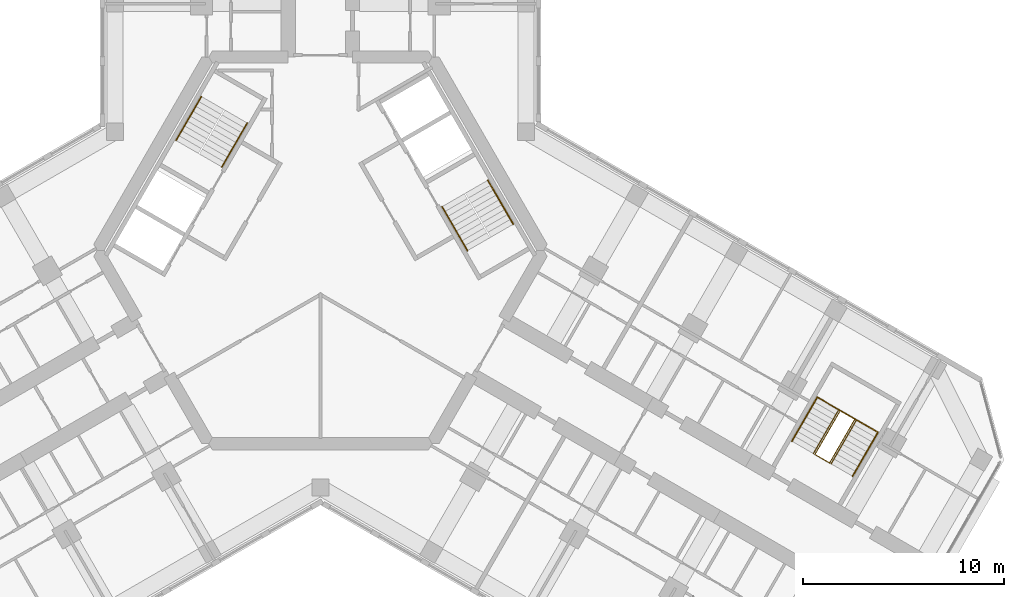
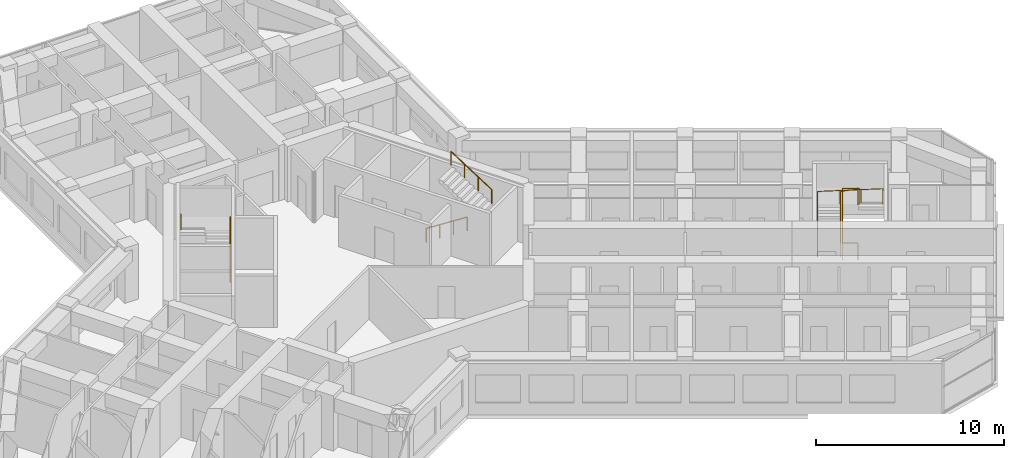
# One storey, part 16 of 16: 7 railings.
"""IFC4 building model written with IfcOpenShell, lengths in metres."""

from ifc_helpers import new_model, si_unit, direction, frame, origin, origin_2d, place, context, subcontext, project, spatial, circle, extrude, material, type_object, element, save


model = new_model("IFC4")

# Units and contexts
model_context = context("Model", 3, precision=1e-05, world=origin(), true_north=direction((0.0, 1.0)))
body_context = subcontext(model_context, "Body", "Model", "MODEL_VIEW")
ifc_project = project(units=[si_unit("LENGTHUNIT", "METRE"), si_unit("AREAUNIT", "SQUARE_METRE"), si_unit("VOLUMEUNIT", "CUBIC_METRE"), si_unit("PLANEANGLEUNIT", "RADIAN"), si_unit("MASSUNIT", "GRAM", prefix="KILO")], contexts=[model_context])

# Site, building, storey
site_placement = place(None, origin())
site = spatial("IfcSite", under=ifc_project, at=site_placement, CompositionType="ELEMENT")
building_placement = place(site_placement, origin())
building = spatial("IfcBuilding", under=site, at=building_placement, Name="Kosmar Iwan School Tower", CompositionType="ELEMENT")
storey_placement = place(building_placement, frame((0.0, 0.0, 242.39990234375)))
storey = spatial("IfcBuildingStorey", under=building, at=storey_placement, Name="L61", CompositionType="ELEMENT", Elevation=242.39990234375)

# Railings
ifc_material_1 = material(Name="Black steel", Category="steel")
railing_type_1 = type_object("IfcRailingType", Name="Stair handrail 900", PredefinedType="HANDRAIL", material=ifc_material_1)
railing_1_placement = place(storey_placement, frame((-4.89453125, 4.142333984375, 0.18017578125)))
element("IfcRailing", 1, at=railing_1_placement, inside=storey, type_object=railing_type_1, Name="Handrail ST2 flight 1", PredefinedType="HANDRAIL", context=body_context, shape_type="SweptSolid", body=[
    extrude(circle(Radius=0.02392578125, at=origin_2d()), frame((0.0, 0.0, 0.8759765625), z_axis=(0.42060268101, 0.72849590497, 0.54072830624), x_axis=(-0.866022637375, 0.500004791531, 0.0)), (0.0, 0.0, 1.0), 2.99560546875),
    extrude(circle(Radius=0.02099609375, at=origin_2d()), origin(), (0.0, 0.0, 1.0), 0.851806640625),
    extrude(circle(Radius=0.02099609375, at=origin_2d()), frame((0.419921875, 0.7275390625, 0.5400390625)), (0.0, 0.0, 1.0), 0.851806640625),
    extrude(circle(Radius=0.02099609375, at=origin_2d()), frame((0.840087890625, 1.454833984375, 1.079833984375)), (0.0, 0.0, 1.0), 0.851806640625),
    extrude(circle(Radius=0.02099609375, at=origin_2d()), frame((1.260009765625, 2.182373046875, 1.619873046875)), (0.0, 0.0, 1.0), 0.851806640625),
])
railing_2_placement = place(storey_placement, frame((-5.912353515625, 7.6396484375, 1.97998046875)))
element("IfcRailing", 2, at=railing_2_placement, inside=storey, type_object=railing_type_1, Name="Handrail ST2 flight 2", PredefinedType="HANDRAIL", context=body_context, shape_type="SweptSolid", body=[
    extrude(circle(Radius=0.02392578125, at=origin_2d()), frame((0.0, 0.0, 0.8759765625), z_axis=(-0.420584145978, -0.728463801763, 0.540785970299), x_axis=(0.866022637375, -0.500004791531, 0.0)), (0.0, 0.0, 1.0), 2.995849609375),
    extrude(circle(Radius=0.02099609375, at=origin_2d()), origin(), (0.0, 0.0, 1.0), 0.851806640625),
    extrude(circle(Radius=0.02099609375, at=origin_2d()), frame((-0.419921875, -0.7275390625, 0.5400390625)), (0.0, 0.0, 1.0), 0.851806640625),
    extrude(circle(Radius=0.02099609375, at=origin_2d()), frame((-0.840087890625, -1.454833984375, 1.080078125)), (0.0, 0.0, 1.0), 0.851806640625),
    extrude(circle(Radius=0.02099609375, at=origin_2d()), frame((-1.260009765625, -2.182373046875, 1.6201171875)), (0.0, 0.0, 1.0), 0.851806640625),
])
railing_3_placement = place(storey_placement, frame((6.03466796875, 2.167724609375, 0.18017578125)))
element("IfcRailing", 3, at=railing_3_placement, inside=storey, type_object=railing_type_1, Name="Handrail ST1 flight 1", PredefinedType="HANDRAIL", context=body_context, shape_type="SweptSolid", body=[
    extrude(circle(Radius=0.02392578125, at=origin_2d()), frame((0.0, 0.0, 0.8759765625), z_axis=(0.42060268101, -0.72849590497, 0.54072830624), x_axis=(0.866022637375, 0.500004791531, 0.0)), (0.0, 0.0, 1.0), 2.99560546875),
    extrude(circle(Radius=0.02099609375, at=origin_2d()), origin(), (0.0, 0.0, 1.0), 0.851806640625),
    extrude(circle(Radius=0.02099609375, at=origin_2d()), frame((0.419921875, -0.7275390625, 0.5400390625)), (0.0, 0.0, 1.0), 0.851806640625),
    extrude(circle(Radius=0.02099609375, at=origin_2d()), frame((0.840087890625, -1.454833984375, 1.079833984375)), (0.0, 0.0, 1.0), 0.851806640625),
    extrude(circle(Radius=0.02099609375, at=origin_2d()), frame((1.260009765625, -2.182373046875, 1.619873046875)), (0.0, 0.0, 1.0), 0.851806640625),
])
railing_4_placement = place(storey_placement, frame((9.572265625, 1.30029296875, 1.97998046875)))
element("IfcRailing", 4, at=railing_4_placement, inside=storey, type_object=railing_type_1, Name="Handrail ST1 flight 2", PredefinedType="HANDRAIL", context=body_context, shape_type="SweptSolid", body=[
    extrude(circle(Radius=0.02392578125, at=origin_2d()), frame((0.0, 0.0, 0.8759765625), z_axis=(-0.420584145978, 0.728463801763, 0.540785970299), x_axis=(-0.866022637375, -0.500004791531, 0.0)), (0.0, 0.0, 1.0), 2.995849609375),
    extrude(circle(Radius=0.02099609375, at=origin_2d()), origin(), (0.0, 0.0, 1.0), 0.851806640625),
    extrude(circle(Radius=0.02099609375, at=origin_2d()), frame((-0.419921875, 0.7275390625, 0.5400390625)), (0.0, 0.0, 1.0), 0.851806640625),
    extrude(circle(Radius=0.02099609375, at=origin_2d()), frame((-0.840087890625, 1.454833984375, 1.080078125)), (0.0, 0.0, 1.0), 0.851806640625),
    extrude(circle(Radius=0.02099609375, at=origin_2d()), frame((-1.260009765625, 2.182373046875, 1.6201171875)), (0.0, 0.0, 1.0), 0.851806640625),
])
railing_5_placement = place(storey_placement, frame((23.4091796875, -9.473876953125, 0.18017578125)))
element("IfcRailing", 5, at=railing_5_placement, inside=storey, type_object=railing_type_1, Name="Handrail stair WS3 L61 wall side", PredefinedType="HANDRAIL", context=body_context, shape_type="SweptSolid", body=[
    extrude(circle(Radius=0.02392578125, at=origin_2d()), frame((0.0, 0.0, 0.8759765625), z_axis=(0.42060268101, 0.72849590497, 0.54072830624), x_axis=(-0.866022637375, 0.500004791531, 0.0)), (0.0, 0.0, 1.0), 2.99560546875),
    extrude(circle(Radius=0.02392578125, at=origin_2d()), frame((1.260009765625, 2.182373046875, 2.49560546875), z_axis=(0.864882007433, -0.499312601618, 0.051633701051), x_axis=(0.499979528911, 0.866037222451, 0.0)), (0.0, 0.0, 1.0), 3.48486328125),
    extrude(circle(Radius=0.02392578125, at=origin_2d()), frame((4.27392578125, 0.4423828125, 2.67578125), z_axis=(-0.420584145978, -0.728463801763, 0.540785970299), x_axis=(0.866022637375, -0.500004791531, 0.0)), (0.0, 0.0, 1.0), 2.995849609375),
    extrude(circle(Radius=0.02099609375, at=origin_2d()), origin(), (0.0, 0.0, 1.0), 0.851806640625),
    extrude(circle(Radius=0.02099609375, at=origin_2d()), frame((0.419921875, 0.7275390625, 0.5400390625)), (0.0, 0.0, 1.0), 0.851806640625),
    extrude(circle(Radius=0.02099609375, at=origin_2d()), frame((0.840087890625, 1.454833984375, 1.079833984375)), (0.0, 0.0, 1.0), 0.851806640625),
    extrude(circle(Radius=0.02099609375, at=origin_2d()), frame((1.260009765625, 2.182373046875, 1.619873046875)), (0.0, 0.0, 1.0), 0.851806640625),
    extrude(circle(Radius=0.02099609375, at=origin_2d()), frame((2.2646484375, 1.602294921875, 1.679931640625)), (0.0, 0.0, 1.0), 0.851806640625),
    extrude(circle(Radius=0.02099609375, at=origin_2d()), frame((3.269287109375, 1.0224609375, 1.73974609375)), (0.0, 0.0, 1.0), 0.851806640625),
    extrude(circle(Radius=0.02099609375, at=origin_2d()), frame((4.27392578125, 0.4423828125, 1.7998046875)), (0.0, 0.0, 1.0), 0.851806640625),
    extrude(circle(Radius=0.02099609375, at=origin_2d()), frame((3.85400390625, -0.28515625, 2.33984375)), (0.0, 0.0, 1.0), 0.851806640625),
    extrude(circle(Radius=0.02099609375, at=origin_2d()), frame((3.433837890625, -1.012451171875, 2.8798828125)), (0.0, 0.0, 1.0), 0.851806640625),
    extrude(circle(Radius=0.02099609375, at=origin_2d()), frame((3.013916015625, -1.739990234375, 3.419921875)), (0.0, 0.0, 1.0), 0.851806640625),
])
railing_6_placement = place(storey_placement, frame((24.474609375, -10.0888671875, 0.18017578125)))
element("IfcRailing", 6, at=railing_6_placement, inside=storey, type_object=railing_type_1, Name="Handrail stair WS3 L61 well side", PredefinedType="HANDRAIL", context=body_context, shape_type="SweptSolid", body=[
    extrude(circle(Radius=0.02392578125, at=origin_2d()), frame((0.0, 0.0, 0.8759765625), z_axis=(0.42060268101, 0.72849590497, 0.54072830624), x_axis=(-0.866022637375, 0.500004791531, 0.0)), (0.0, 0.0, 1.0), 2.99560546875),
    extrude(circle(Radius=0.02392578125, at=origin_2d()), frame((1.260009765625, 2.182373046875, 2.49560546875), z_axis=(0.852841519511, -0.492422867401, 0.173726976197), x_axis=(0.500026340207, 0.866010195725, 0.0)), (0.0, 0.0, 1.0), 1.03564453125),
    extrude(circle(Radius=0.02392578125, at=origin_2d()), frame((2.143310546875, 1.67236328125, 2.67578125), z_axis=(-0.420584145978, -0.728463801763, 0.540785970299), x_axis=(0.866022637375, -0.500004791531, 0.0)), (0.0, 0.0, 1.0), 2.995849609375),
    extrude(circle(Radius=0.02099609375, at=origin_2d()), origin(), (0.0, 0.0, 1.0), 0.851806640625),
    extrude(circle(Radius=0.02099609375, at=origin_2d()), frame((0.419921875, 0.7275390625, 0.5400390625)), (0.0, 0.0, 1.0), 0.851806640625),
    extrude(circle(Radius=0.02099609375, at=origin_2d()), frame((0.840087890625, 1.454833984375, 1.079833984375)), (0.0, 0.0, 1.0), 0.851806640625),
    extrude(circle(Radius=0.02099609375, at=origin_2d()), frame((1.260009765625, 2.182373046875, 1.619873046875)), (0.0, 0.0, 1.0), 0.851806640625),
    extrude(circle(Radius=0.02099609375, at=origin_2d()), frame((2.143310546875, 1.67236328125, 1.7998046875)), (0.0, 0.0, 1.0), 0.851806640625),
    extrude(circle(Radius=0.02099609375, at=origin_2d()), frame((1.723388671875, 0.94482421875, 2.33984375)), (0.0, 0.0, 1.0), 0.851806640625),
    extrude(circle(Radius=0.02099609375, at=origin_2d()), frame((1.30322265625, 0.217529296875, 2.8798828125)), (0.0, 0.0, 1.0), 0.851806640625),
    extrude(circle(Radius=0.02099609375, at=origin_2d()), frame((0.88330078125, -0.510009765625, 3.419921875)), (0.0, 0.0, 1.0), 0.851806640625),
])
ifc_material_2 = material(Name="Black steel", Category="steel")
railing_type_2 = type_object("IfcRailingType", Name="Stair well guard 1100", PredefinedType="GUARDRAIL", material=ifc_material_2)
railing_7_placement = place(storey_placement, frame((25.280029296875, -10.553955078125, 0.0)))
element("IfcRailing", 7, at=railing_7_placement, inside=storey, type_object=railing_type_2, Name="Stair WS3 L61 well guard", PredefinedType="GUARDRAIL", context=body_context, shape_type="SweptSolid", body=[
    extrude(circle(Radius=0.02392578125, at=origin_2d()), frame((0.0, 0.0, 1.076171875), z_axis=(-0.865962960534, 0.500108139288, 0.0), x_axis=(-0.500108139288, -0.865962960534, 0.0)), (0.0, 0.0, 1.0), 0.840087890625),
    extrude(circle(Radius=0.02392578125, at=origin_2d()), frame((-0.7275390625, 0.420166015625, 1.076171875), z_axis=(0.40686665399, 0.704704712268, 0.58124933925), x_axis=(-0.866022637375, 0.500004791531, 0.0)), (0.0, 0.0, 1.0), 3.096923828125),
    extrude(circle(Radius=0.02392578125, at=origin_2d()), frame((0.532470703125, 2.6025390625, 2.8759765625), z_axis=(0.865890253765, -0.500234013672, 0.0), x_axis=(0.500234013672, 0.865890253765, 0.0)), (0.0, 0.0, 1.0), 0.83984375),
    extrude(circle(Radius=0.02392578125, at=origin_2d()), frame((1.259765625, 2.182373046875, 2.8759765625), z_axis=(-0.406800866334, -0.70472731476, 0.58126798207), x_axis=(0.866064587494, -0.499932125682, 0.0)), (0.0, 0.0, 1.0), 3.0966796875),
    extrude(circle(Radius=0.02099609375, at=origin_2d()), origin(), (0.0, 0.0, 1.0), 1.052001953125),
    extrude(circle(Radius=0.02099609375, at=origin_2d()), frame((-0.7275390625, 0.420166015625, 0.0)), (0.0, 0.0, 1.0), 1.052001953125),
    extrude(circle(Radius=0.02099609375, at=origin_2d()), frame((-0.3076171875, 1.147705078125, 0.60009765625)), (0.0, 0.0, 1.0), 1.052001953125),
    extrude(circle(Radius=0.02099609375, at=origin_2d()), frame((0.112548828125, 1.875, 1.199951171875)), (0.0, 0.0, 1.0), 1.052001953125),
    extrude(circle(Radius=0.02099609375, at=origin_2d()), frame((0.532470703125, 2.6025390625, 1.800048828125)), (0.0, 0.0, 1.0), 1.052001953125),
    extrude(circle(Radius=0.02099609375, at=origin_2d()), frame((1.259765625, 2.182373046875, 1.800048828125)), (0.0, 0.0, 1.0), 1.052001953125),
    extrude(circle(Radius=0.02099609375, at=origin_2d()), frame((0.83984375, 1.454833984375, 2.400146484375)), (0.0, 0.0, 1.0), 1.052001953125),
    extrude(circle(Radius=0.02099609375, at=origin_2d()), frame((0.419921875, 0.7275390625, 3.0)), (0.0, 0.0, 1.0), 1.052001953125),
    extrude(circle(Radius=0.02099609375, at=origin_2d()), frame((0.0, 0.0, 3.60009765625)), (0.0, 0.0, 1.0), 1.052001953125),
])

save(model, "model.ifc")
